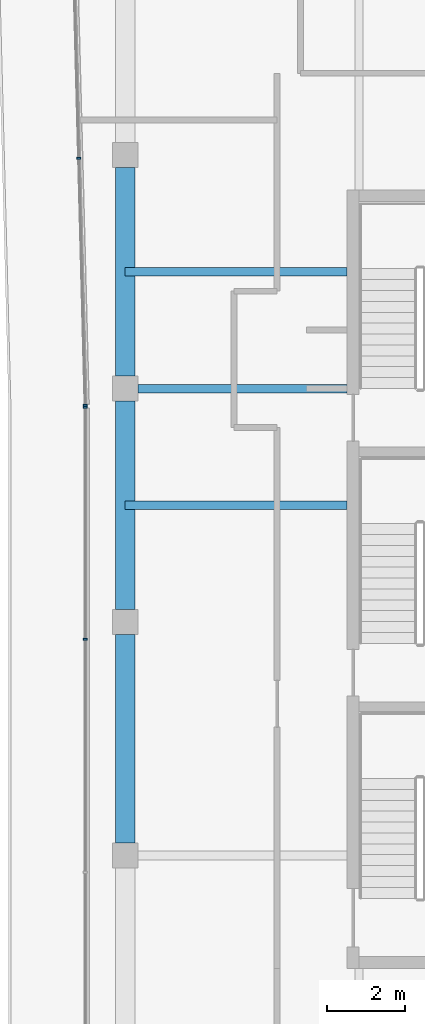
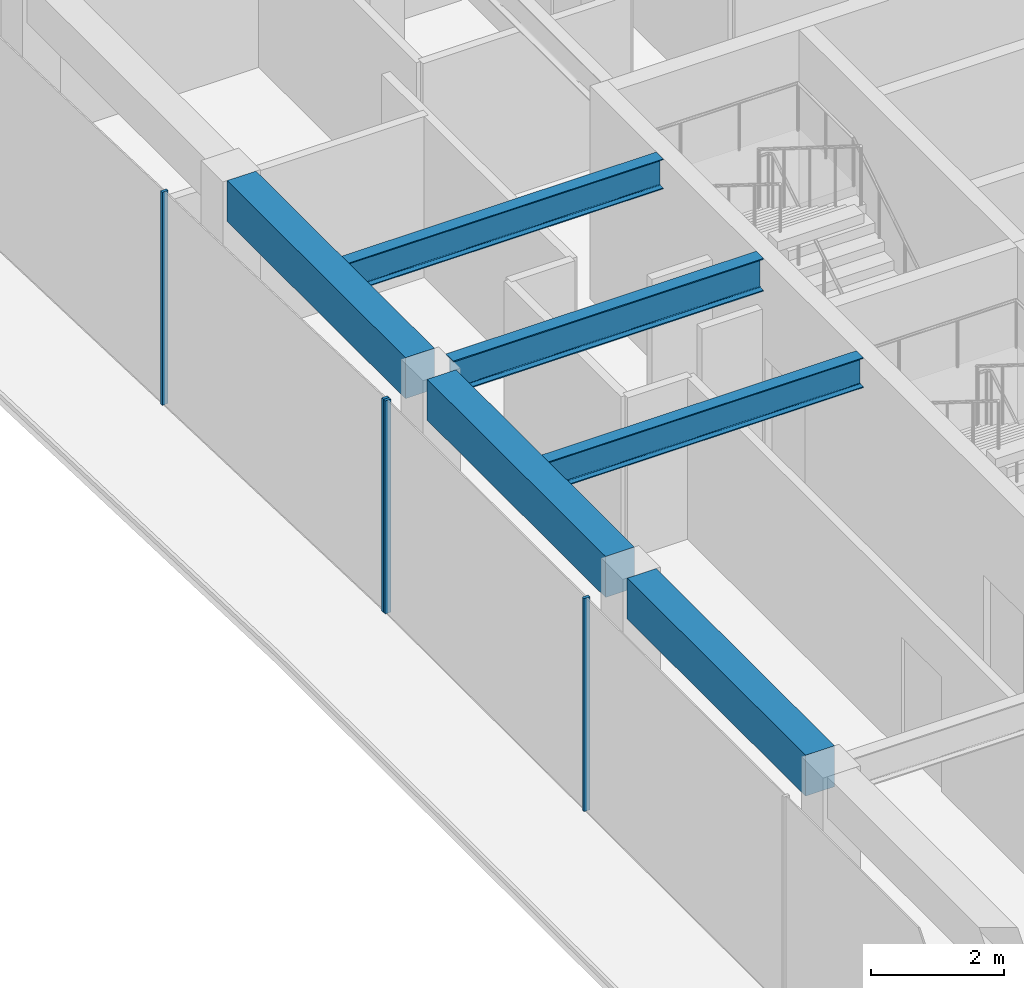
# One storey, part 5 of 20: 6 beams, 4 members, 2 elements without a shape of their own.
"""IFC4 building model written with IfcOpenShell, lengths in metres."""

from ifc_helpers import new_model, si_unit, direction, frame, origin, origin_2d, place, context, subcontext, project, spatial, rectangle, i_section, extrude, material, layer, layer_set, material_profile, profile_set, type_object, element, aggregate, save


model = new_model("IFC4")

# Units and contexts
model_context = context("Model", 3, precision=1e-05, world=origin(), true_north=direction((0.0, 1.0)))
body_context = subcontext(model_context, "Body", "Model", "MODEL_VIEW")
ifc_project = project(units=[si_unit("LENGTHUNIT", "METRE"), si_unit("AREAUNIT", "SQUARE_METRE"), si_unit("VOLUMEUNIT", "CUBIC_METRE"), si_unit("PLANEANGLEUNIT", "RADIAN"), si_unit("MASSUNIT", "GRAM", prefix="KILO")], contexts=[model_context])

# Site, building, storey
site_placement = place(None, origin())
site = spatial("IfcSite", under=ifc_project, at=site_placement, CompositionType="ELEMENT")
building_placement = place(site_placement, origin())
building = spatial("IfcBuilding", under=site, at=building_placement, Name="Welwitschia Terrace Campus", CompositionType="ELEMENT")
storey_placement = place(building_placement, frame((0.0, 0.0, 327.199951171875)))
storey = spatial("IfcBuildingStorey", under=building, at=storey_placement, Name="L73", CompositionType="ELEMENT", Elevation=327.199951171875)

# Beams
ifc_material_1 = material(Name="Steel S355", Category="steel")
ifc_material_profile_1 = material_profile(ifc_material_1, i_section(OverallWidth=0.2099609375, OverallDepth=0.550048828125, WebThickness=0.010986328125, FlangeThickness=0.01708984375, FilletRadius=0.02392578125, at=origin_2d()))
ifc_profile_set_1 = profile_set([ifc_material_profile_1], Name="Steel S355")
beam_type_1 = type_object("IfcBeamType", Name="Interior girder IPE 550", PredefinedType="BEAM", material=ifc_profile_set_1)
for number, where, z_axis, x_axis, name in (
    (1, (-0.010009765625, 17.0, 3.625), (1.0, 0.0, 0.0), (0.0, 1.0, 0.0), "Girder GB7"),
    (2, (-0.010009765625, 23.0, 3.625), (1.0, 0.0, 0.0), (0.0, 1.0, 0.0), "Girder GB7"),
):
    element("IfcBeam", number, at=place(storey_placement, frame(where, z_axis=z_axis, x_axis=x_axis)), inside=storey, type_object=beam_type_1, Name=name, PredefinedType="BEAM", context=body_context, shape_type="SweptSolid", body=[
        extrude(i_section(OverallWidth=0.2099609375, OverallDepth=0.550048828125, WebThickness=0.010986328125, FlangeThickness=0.01708984375, FilletRadius=0.02392578125, at=origin_2d()), origin(), (0.0, 0.0, 1.0), 5.708984375),
    ])

# Curtain wall, members
ifc_material_2 = material(Name="Bronze anodised aluminium", Category="aluminium")
ifc_layer = layer(ifc_material_2, 0.10009765625)
ifc_layer_set = layer_set([ifc_layer], Name="Bronze anodised aluminium")
curtain_wall_type = type_object("IfcCurtainWallType", Name="Curtain wall CW5 crown 6000", PredefinedType="NOTDEFINED", material=ifc_layer_set)
curtain_wall_1_placement = place(storey_placement, origin())
curtain_wall_1 = element("IfcCurtainWall", 3, at=curtain_wall_1_placement, inside=storey, type_object=curtain_wall_type, Name="CW L73.0.0", PredefinedType="NOTDEFINED")
ifc_material_3 = material(Name="Bronze anodised aluminium", Category="aluminium")
ifc_material_profile_2 = material_profile(ifc_material_3, rectangle(XDim=0.10009765625, YDim=0.050048828125, at=origin_2d()))
ifc_profile_set_2 = profile_set([ifc_material_profile_2], Name="Bronze anodised aluminium")
member_type = type_object("IfcMemberType", Name="Mullion 50x100", PredefinedType="MULLION", material=ifc_profile_set_2)
member_1_placement = place(storey_placement, frame((-1.030029296875, 19.5244140625, 0.0), z_axis=(0.0, 0.0, 1.0), x_axis=(1.0, 0.0, 0.0)))
member_1 = element("IfcMember", 4, at=member_1_placement, type_object=member_type, Name="Mullion L73.0.0.0", PredefinedType="MULLION", context=body_context, shape_type="SweptSolid", body=[
    extrude(rectangle(XDim=0.10009765625, YDim=0.050048828125, at=origin_2d()), origin(), (0.0, 0.0, 1.0), 3.900146484375),
])
member_2_placement = place(storey_placement, frame((-1.030029296875, 13.557373046875, 0.0), z_axis=(0.0, 0.0, 1.0), x_axis=(1.0, 0.0, 0.0)))
member_2 = element("IfcMember", 5, at=member_2_placement, type_object=member_type, Name="Mullion L73.0.0.1", PredefinedType="MULLION", context=body_context, shape_type="SweptSolid", body=[
    extrude(rectangle(XDim=0.10009765625, YDim=0.050048828125, at=origin_2d()), origin(), (0.0, 0.0, 1.0), 3.900146484375),
])
aggregate(curtain_wall_1, [member_1, member_2])

curtain_wall_2_placement = place(storey_placement, origin())
curtain_wall_2 = element("IfcCurtainWall", 6, at=curtain_wall_2_placement, inside=storey, type_object=curtain_wall_type, Name="CW L73.10.0", PredefinedType="NOTDEFINED")
member_3_placement = place(storey_placement, frame((-1.19677734375, 25.919677734375, 0.0), z_axis=(0.0, 0.0, 1.0), x_axis=(0.999657324976, 0.026176948308, 0.0)))
member_3 = element("IfcMember", 7, at=member_3_placement, type_object=member_type, Name="Mullion L73.10.0.3", PredefinedType="MULLION", context=body_context, shape_type="SweptSolid", body=[
    extrude(rectangle(XDim=0.10009765625, YDim=0.050048828125, at=origin_2d()), origin(), (0.0, 0.0, 1.0), 3.900146484375),
])
member_4_placement = place(storey_placement, frame((-1.03076171875, 19.574462890625, 0.0), z_axis=(0.0, 0.0, 1.0), x_axis=(0.999657324976, 0.026176948308, 0.0)))
member_4 = element("IfcMember", 8, at=member_4_placement, type_object=member_type, Name="Mullion L73.10.0.4", PredefinedType="MULLION", context=body_context, shape_type="SweptSolid", body=[
    extrude(rectangle(XDim=0.10009765625, YDim=0.050048828125, at=origin_2d()), origin(), (0.0, 0.0, 1.0), 3.900146484375),
])
aggregate(curtain_wall_2, [member_3, member_4])

# Beams
ifc_material_4 = material(Name="Steel S355", Category="steel")
ifc_material_profile_3 = material_profile(ifc_material_4, i_section(OverallWidth=0.219970703125, OverallDepth=0.60009765625, WebThickness=0.011962890625, FlangeThickness=0.01904296875, FilletRadius=0.02392578125, at=origin_2d()))
ifc_profile_set_3 = profile_set([ifc_material_profile_3], Name="Steel S355")
beam_type_2 = type_object("IfcBeamType", Name="Primary beam IPE 600", PredefinedType="BEAM", material=ifc_profile_set_3)
beam_placement = place(storey_placement, frame((0.325439453125, 20.0, 3.60009765625), z_axis=(1.0, 0.0, 0.0), x_axis=(0.0, 1.0, 0.0)))
element("IfcBeam", 9, at=beam_placement, inside=storey, type_object=beam_type_2, Name="Primary beam PB7", PredefinedType="BEAM", context=body_context, shape_type="SweptSolid", body=[
    extrude(i_section(OverallWidth=0.219970703125, OverallDepth=0.60009765625, WebThickness=0.011962890625, FlangeThickness=0.01904296875, FilletRadius=0.02392578125, at=origin_2d()), origin(), (0.0, 0.0, 1.0), 5.37451171875),
])
ifc_material_5 = material(Name="Concrete C40/50", Category="concrete")
ifc_material_profile_4 = material_profile(ifc_material_5, rectangle(XDim=0.5, YDim=0.75, at=origin_2d()))
ifc_profile_set_4 = profile_set([ifc_material_profile_4], Name="Concrete C40/50")
beam_type_3 = type_object("IfcBeamType", Name="Ring spandrel 500x750", PredefinedType="SPANDREL", material=ifc_profile_set_4)
for number, where, z_axis, x_axis, name in (
    (10, (0.0, 25.674560546875, 3.525146484375), (0.0, -1.0, 0.0), (1.0, 0.0, 0.0), "Spandrel SP5"),
    (11, (0.0, 19.674560546875, 3.525146484375), (0.0, -1.0, 0.0), (1.0, 0.0, 0.0), "Spandrel SP5"),
    (12, (0.0, 13.674560546875, 3.525146484375), (0.0, -1.0, 0.0), (1.0, 0.0, 0.0), "Spandrel SP5"),
):
    element("IfcBeam", number, at=place(storey_placement, frame(where, z_axis=z_axis, x_axis=x_axis)), inside=storey, type_object=beam_type_3, Name=name, PredefinedType="SPANDREL", context=body_context, shape_type="SweptSolid", body=[
        extrude(rectangle(XDim=0.5, YDim=0.75, at=origin_2d()), origin(), (0.0, 0.0, 1.0), 5.34912109375),
    ])

save(model, "model.ifc")
